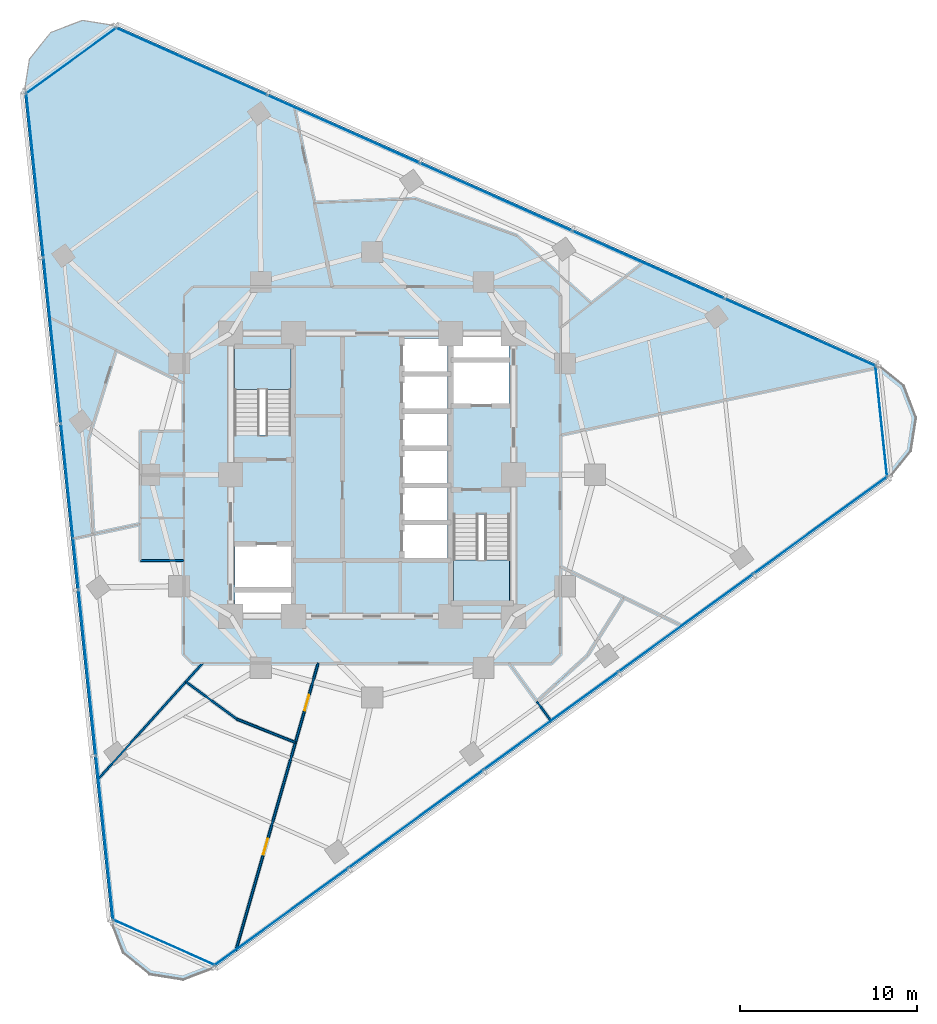
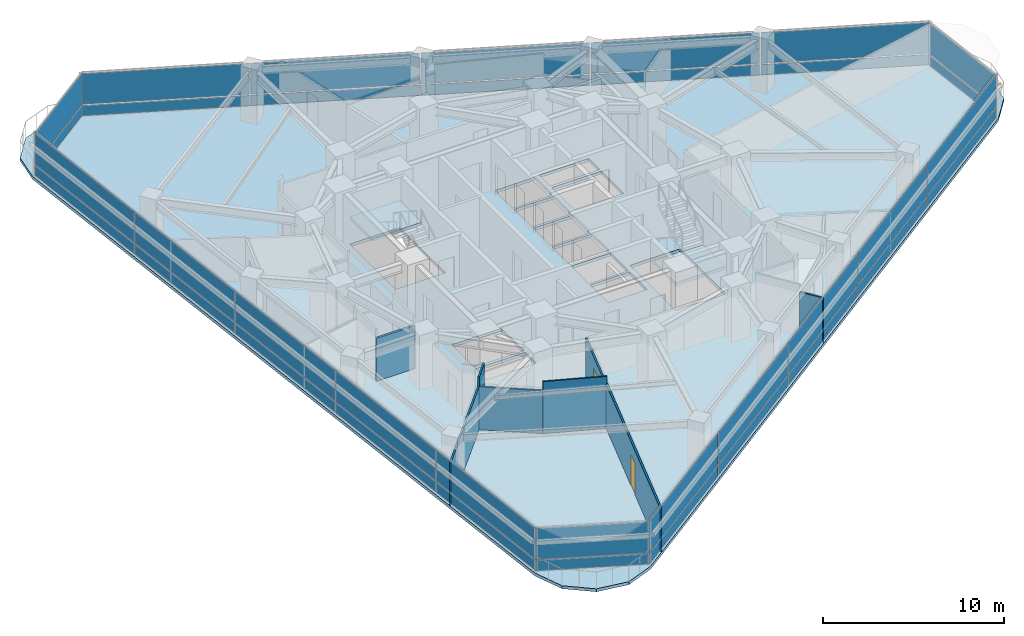
# One storey, part 7 of 14: 36 plates, 8 walls, 3 slabs, 2 doors, 2 openings, 8 elements without a shape of their own.
"""IFC4 building model written with IfcOpenShell, lengths in metres."""

from ifc_helpers import new_model, si_unit, direction, frame, frame_2d, origin, origin_2d, place, context, subcontext, project, spatial, polyline, rectangle, outline, extrude, material, layer, layer_set, type_object, element, fill, aggregate, save


model = new_model("IFC4")

# Units and contexts
model_context = context("Model", 3, precision=1e-05, world=origin(), true_north=direction((0.0, 1.0)))
body_context = subcontext(model_context, "Body", "Model", "MODEL_VIEW")
ifc_project = project(units=[si_unit("LENGTHUNIT", "METRE"), si_unit("AREAUNIT", "SQUARE_METRE"), si_unit("VOLUMEUNIT", "CUBIC_METRE"), si_unit("PLANEANGLEUNIT", "RADIAN"), si_unit("MASSUNIT", "GRAM", prefix="KILO")], contexts=[model_context])

# Site, building, storey
site_placement = place(None, origin())
site = spatial("IfcSite", under=ifc_project, at=site_placement, CompositionType="ELEMENT")
building_placement = place(site_placement, origin())
building = spatial("IfcBuilding", under=site, at=building_placement, Name="Terralouvre Media Tower", CompositionType="ELEMENT")
storey_placement = place(building_placement, frame((0.0, 0.0, 173.10009765625)))
storey = spatial("IfcBuildingStorey", under=building, at=storey_placement, Name="L44", CompositionType="ELEMENT", Elevation=173.10009765625)

# Slab
ifc_material_1 = material(Name="Concrete C40/50", Category="concrete")
ifc_layer_1 = layer(ifc_material_1, 0.199951171875, Name="Composite Tower Floor Slab S-TYP200")
ifc_layer_set_1 = layer_set([ifc_layer_1], Name="Concrete C40/50")
slab_type_1 = type_object("IfcSlabType", Name="Composite Tower Floor Slab S-TYP200", PredefinedType="FLOOR", material=ifc_layer_set_1)
slab_1_placement = place(storey_placement, frame((0.0, 0.0, -0.2001953125), z_axis=(0.0, 0.0, 1.0), x_axis=(0.809016994375, 0.587785252292, 0.0)))
element("IfcSlab", 1, at=slab_1_placement, inside=storey, type_object=slab_type_1, Name="L44 Structural Floor Slab", PredefinedType="FLOOR", context=body_context, shape_type="SweptSolid", body=[
    extrude(outline(polyline([(-26.80419921875, -11.775390625), (-27.300048828125, -13.62548828125), (-26.80419921875, -15.475341796875), (-25.449951171875, -16.829833984375), (-23.60009765625, -17.325439453125), (23.60009765625, -17.325439453125), (25.449951171875, -16.829833984375), (26.80419921875, -15.4755859375), (27.300048828125, -13.62548828125), (26.80419921875, -11.775390625), (3.204345703125, 29.100830078125), (1.85009765625, 30.455322265625), (0.0, 30.950927734375), (-1.85009765625, 30.455322265625), (-3.204345703125, 29.100830078125), (-26.80419921875, -11.775390625)]), holes=[polyline([(-7.600830078125, -2.6357421875), (-8.30615234375, -3.6064453125), (-10.8544921875, -1.7548828125), (-10.149169921875, -0.7841796875), (-7.600830078125, -2.6357421875)]), polyline([(-7.4833984375, -2.473876953125), (-10.03173828125, -0.622314453125), (-8.591552734375, 1.359619140625), (-6.043212890625, -0.49169921875), (-7.4833984375, -2.473876953125)]), polyline([(4.366943359375, -1.2197265625), (2.344482421875, 0.24951171875), (3.48486328125, 1.819091796875), (5.50732421875, 0.349609375), (4.366943359375, -1.2197265625)]), polyline([(6.74169921875, 2.048583984375), (5.601318359375, 0.47900390625), (3.578857421875, 1.948486328125), (4.71923828125, 3.51806640625), (6.74169921875, 2.048583984375)]), polyline([(-2.40185546875, 4.52001953125), (-4.974609375, 6.38916015625), (-2.02685546875, 10.446533203125), (0.5458984375, 8.577392578125), (-2.40185546875, 4.52001953125)]), polyline([(6.835693359375, 2.177978515625), (4.813232421875, 3.6474609375), (5.953369140625, 5.217041015625), (7.97607421875, 3.74755859375), (6.835693359375, 2.177978515625)]), polyline([(-0.5458984375, -8.577392578125), (2.40185546875, -4.52001953125), (4.974609375, -6.38916015625), (2.02685546875, -10.446533203125), (-0.5458984375, -8.577392578125)]), polyline([(0.6640625, -6.316650390625), (-1.358642578125, -4.84716796875), (-0.21826171875, -3.277587890625), (1.80419921875, -4.7470703125), (0.6640625, -6.316650390625)]), polyline([(1.8984375, -4.61767578125), (-0.124267578125, -3.148193359375), (1.01611328125, -1.578857421875), (3.03857421875, -3.04833984375), (1.8984375, -4.61767578125)]), polyline([(4.27294921875, -1.349365234375), (3.132568359375, -2.918701171875), (1.110107421875, -1.44921875), (2.25048828125, 0.1201171875), (4.27294921875, -1.349365234375)]), polyline([(8.591552734375, -1.359619140625), (6.043212890625, 0.49169921875), (7.4833984375, 2.473876953125), (10.03173828125, 0.622314453125), (8.591552734375, -1.359619140625)]), polyline([(10.149169921875, 0.7841796875), (7.600830078125, 2.6357421875), (8.30615234375, 3.6064453125), (10.8544921875, 1.7548828125), (10.149169921875, 0.7841796875)])]), origin(), (0.0, 0.0, 1.0), 0.2001953125),
])

# Stair, slab
ifc_material_2 = material(Name="Concrete C45/55", Category="concrete")
stair_type_1 = type_object("IfcStairType", Name="Dogleg Stair Assembly ST-01", PredefinedType="HALF_TURN_STAIR", material=ifc_material_2)
stair_1_placement = place(storey_placement, origin())
stair_1 = element("IfcStair", 2, at=stair_1_placement, inside=storey, type_object=stair_type_1, Name="L44 Core Pressurised Exit Stair ST-01", PredefinedType="HALF_TURN_STAIR")
ifc_material_3 = material(Name="Concrete C45/55", Category="concrete")
ifc_layer_2 = layer(ifc_material_3, 0.199951171875, Name="Reinforced Concrete Stair Half-Landing SL-LD1")
ifc_layer_set_2 = layer_set([ifc_layer_2], Name="Concrete C45/55")
slab_type_2 = type_object("IfcSlabType", Name="Reinforced Concrete Stair Half-Landing SL-LD1", PredefinedType="LANDING", material=ifc_layer_set_2)
slab_2_placement = place(storey_placement, frame((0.0, 0.0, 1.64990234375)))
slab_2 = element("IfcSlab", 3, at=slab_2_placement, type_object=slab_type_2, Name="ST-01 landing 1", PredefinedType="LANDING", context=body_context, shape_type="SweptSolid", body=[
    extrude(outline(polyline([(-4.60009765625, 4.820068359375), (-4.60009765625, 7.260009765625), (-7.780029296875, 7.260009765625), (-7.780029296875, 4.820068359375), (-4.60009765625, 4.820068359375)])), origin(), (0.0, 0.0, 1.0), 0.199951171875),
])
aggregate(stair_1, [slab_2])

ifc_material_4 = material(Name="Concrete C45/55", Category="concrete")
stair_type_2 = type_object("IfcStairType", Name="Dogleg Stair Assembly ST-02", PredefinedType="HALF_TURN_STAIR", material=ifc_material_4)
stair_2_placement = place(storey_placement, origin())
stair_2 = element("IfcStair", 4, at=stair_2_placement, inside=storey, type_object=stair_type_2, Name="L44 Core Pressurised Exit Stair ST-02", PredefinedType="HALF_TURN_STAIR")
slab_3_placement = place(storey_placement, frame((0.0, 0.0, 1.64990234375)))
slab_3 = element("IfcSlab", 5, at=slab_3_placement, type_object=slab_type_2, Name="ST-02 landing 1", PredefinedType="LANDING", context=body_context, shape_type="SweptSolid", body=[
    extrude(outline(polyline([(4.60009765625, -4.820068359375), (4.60009765625, -7.260009765625), (7.780029296875, -7.260009765625), (7.780029296875, -4.820068359375), (4.60009765625, -4.820068359375)])), origin(), (0.0, 0.0, 1.0), 0.199951171875),
])
aggregate(stair_2, [slab_3])

# Curtain wall, plates
ifc_material_5 = material(Name="Low-iron laminated double glazing with solar-control coating", Category="glass")
ifc_layer_3 = layer(ifc_material_5, 0.1650390625, Name="Rounded Wind-Corner Curved Glazing CW-04")
ifc_layer_set_3 = layer_set([ifc_layer_3], Name="Low-iron laminated double glazing with solar-control coating")
curtain_wall_type_1 = type_object("IfcCurtainWallType", Name="Rounded Wind-Corner Curved Glazing CW-04", PredefinedType="NOTDEFINED", material=ifc_layer_set_3)
curtain_wall_1_placement = place(storey_placement, origin())
curtain_wall_1 = element("IfcCurtainWall", 6, at=curtain_wall_1_placement, inside=storey, type_object=curtain_wall_type_1, Name="L44 Rounded Wind-Corner Curtain Wall C0", PredefinedType="NOTDEFINED")
ifc_material_6 = material(Name="Low-iron laminated double glazing with solar-control coating", Category="glass")
ifc_layer_4 = layer(ifc_material_6, 0.0400390625, Name="Rounded Corner Laminated Vision Panel CWP-03")
ifc_layer_set_4 = layer_set([ifc_layer_4], Name="Low-iron laminated double glazing with solar-control coating")
plate_type_1 = type_object("IfcPlateType", Name="Rounded Corner Laminated Vision Panel CWP-03", PredefinedType="CURTAIN_PANEL", material=ifc_layer_set_4)
plate_1_placement = place(storey_placement, frame((-11.779541015625, -26.45703125, 0.074951171875), z_axis=(0.0, 0.0, 1.0), x_axis=(0.913545408199, -0.406736754128, 0.0)))
plate_1 = element("IfcPlate", 7, at=plate_1_placement, type_object=plate_type_1, Name="CW-04 panel 1.1", PredefinedType="CURTAIN_PANEL", context=body_context, shape_type="SweptSolid", body=[
    extrude(rectangle(XDim=6.258544921875, YDim=0.035888671875, at=origin_2d()), origin(), (0.0, 0.0, 1.0), 0.6875),
])
plate_2_placement = place(storey_placement, frame((-11.779541015625, -26.45703125, 0.83740234375), z_axis=(0.0, 0.0, 1.0), x_axis=(0.913545408199, -0.406736754128, 0.0)))
plate_2 = element("IfcPlate", 8, at=plate_2_placement, type_object=plate_type_1, Name="CW-04 panel 1.2", PredefinedType="CURTAIN_PANEL", context=body_context, shape_type="SweptSolid", body=[
    extrude(rectangle(XDim=6.258544921875, YDim=0.035888671875, at=origin_2d()), origin(), (0.0, 0.0, 1.0), 2.08740234375),
])
aggregate(curtain_wall_1, [plate_1, plate_2])

curtain_wall_2_placement = place(storey_placement, origin())
curtain_wall_2 = element("IfcCurtainWall", 9, at=curtain_wall_2_placement, inside=storey, type_object=curtain_wall_type_1, Name="L44 Rounded Wind-Corner Curtain Wall C1", PredefinedType="NOTDEFINED")
plate_3_placement = place(storey_placement, frame((28.80224609375, 3.02734375, 0.074951171875), z_axis=(0.0, 0.0, 1.0), x_axis=(-0.10452850319, 0.994521891172, 0.0)))
plate_3 = element("IfcPlate", 10, at=plate_3_placement, type_object=plate_type_1, Name="CW-04 panel 1.1", PredefinedType="CURTAIN_PANEL", context=body_context, shape_type="SweptSolid", body=[
    extrude(rectangle(XDim=6.258544921875, YDim=0.035888671875, at=origin_2d()), origin(), (0.0, 0.0, 1.0), 0.6875),
])
plate_4_placement = place(storey_placement, frame((28.80224609375, 3.02734375, 0.83740234375), z_axis=(0.0, 0.0, 1.0), x_axis=(-0.10452850319, 0.994521891172, 0.0)))
plate_4 = element("IfcPlate", 11, at=plate_4_placement, type_object=plate_type_1, Name="CW-04 panel 1.2", PredefinedType="CURTAIN_PANEL", context=body_context, shape_type="SweptSolid", body=[
    extrude(rectangle(XDim=6.258544921875, YDim=0.035888671875, at=origin_2d()), origin(), (0.0, 0.0, 1.0), 2.08740234375),
])
aggregate(curtain_wall_2, [plate_3, plate_4])

curtain_wall_3_placement = place(storey_placement, origin())
curtain_wall_3 = element("IfcCurtainWall", 12, at=curtain_wall_3_placement, inside=storey, type_object=curtain_wall_type_1, Name="L44 Rounded Wind-Corner Curtain Wall C2", PredefinedType="NOTDEFINED")
plate_5_placement = place(storey_placement, frame((-17.022705078125, 23.429931640625, 0.074951171875), z_axis=(0.0, 0.0, 1.0), x_axis=(-0.809017438344, -0.587784641221, 0.0)))
plate_5 = element("IfcPlate", 13, at=plate_5_placement, type_object=plate_type_1, Name="CW-04 panel 1.1", PredefinedType="CURTAIN_PANEL", context=body_context, shape_type="SweptSolid", body=[
    extrude(rectangle(XDim=6.258544921875, YDim=0.035888671875, at=origin_2d()), origin(), (0.0, 0.0, 1.0), 0.6875),
])
plate_6_placement = place(storey_placement, frame((-17.022705078125, 23.429931640625, 0.83740234375), z_axis=(0.0, 0.0, 1.0), x_axis=(-0.809017438344, -0.587784641221, 0.0)))
plate_6 = element("IfcPlate", 14, at=plate_6_placement, type_object=plate_type_1, Name="CW-04 panel 1.2", PredefinedType="CURTAIN_PANEL", context=body_context, shape_type="SweptSolid", body=[
    extrude(rectangle(XDim=6.258544921875, YDim=0.035888671875, at=origin_2d()), origin(), (0.0, 0.0, 1.0), 2.08740234375),
])
aggregate(curtain_wall_3, [plate_5, plate_6])

ifc_material_7 = material(Name="Low-iron laminated double glazing with solar-control coating", Category="glass")
ifc_layer_5 = layer(ifc_material_7, 0.1650390625, Name="Production Studio Tower Curtain Wall CW-03")
ifc_layer_set_5 = layer_set([ifc_layer_5], Name="Low-iron laminated double glazing with solar-control coating")
curtain_wall_type_2 = type_object("IfcCurtainWallType", Name="Production Studio Tower Curtain Wall CW-03", PredefinedType="NOTDEFINED", material=ifc_layer_set_5)
curtain_wall_4_placement = place(storey_placement, origin())
curtain_wall_4 = element("IfcCurtainWall", 15, at=curtain_wall_4_placement, inside=storey, type_object=curtain_wall_type_2, Name="L44 Facade Curtain Wall F0", PredefinedType="NOTDEFINED")
ifc_material_8 = material(Name="Low-iron laminated double glazing with solar-control coating", Category="glass")
ifc_layer_6 = layer(ifc_material_8, 0.035888671875, Name="Vision Double-Glazed Unit CWP-01")
ifc_layer_set_6 = layer_set([ifc_layer_6], Name="Low-iron laminated double glazing with solar-control coating")
plate_type_2 = type_object("IfcPlateType", Name="Vision Double-Glazed Unit CWP-01", PredefinedType="CURTAIN_PANEL", material=ifc_layer_set_6)
plate_7_placement = place(storey_placement, frame((-5.14599609375, -25.005859375, 0.074951171875), z_axis=(0.0, 0.0, 1.0), x_axis=(0.809016917383, 0.587785358263, 0.0)))
plate_7 = element("IfcPlate", 16, at=plate_7_placement, type_object=plate_type_2, Name="CW-03 panel 1.1", PredefinedType="CURTAIN_PANEL", context=body_context, shape_type="SweptSolid", body=[
    extrude(rectangle(XDim=9.327392578125, YDim=0.035888671875, at=origin_2d()), origin(), (0.0, 0.0, 1.0), 0.6875),
])
plate_8_placement = place(storey_placement, frame((-5.14599609375, -25.005859375, 0.83740234375), z_axis=(0.0, 0.0, 1.0), x_axis=(0.809016917383, 0.587785358263, 0.0)))
plate_8 = element("IfcPlate", 17, at=plate_8_placement, type_object=plate_type_2, Name="CW-03 panel 1.2", PredefinedType="CURTAIN_PANEL", context=body_context, shape_type="SweptSolid", body=[
    extrude(rectangle(XDim=9.327392578125, YDim=0.035888671875, at=origin_2d()), origin(), (0.0, 0.0, 1.0), 2.08740234375),
])
plate_9_placement = place(storey_placement, frame((2.47607421875, -19.46826171875, 0.074951171875), z_axis=(0.0, 0.0, 1.0), x_axis=(0.809016917383, 0.587785358263, 0.0)))
plate_9 = element("IfcPlate", 18, at=plate_9_placement, type_object=plate_type_2, Name="CW-03 panel 2.1", PredefinedType="CURTAIN_PANEL", context=body_context, shape_type="SweptSolid", body=[
    extrude(rectangle(XDim=9.364990234375, YDim=0.035888671875, at=origin_2d()), origin(), (0.0, 0.0, 1.0), 0.6875),
])
plate_10_placement = place(storey_placement, frame((2.47607421875, -19.46826171875, 0.83740234375), z_axis=(0.0, 0.0, 1.0), x_axis=(0.809016917383, 0.587785358263, 0.0)))
plate_10 = element("IfcPlate", 19, at=plate_10_placement, type_object=plate_type_2, Name="CW-03 panel 2.2", PredefinedType="CURTAIN_PANEL", context=body_context, shape_type="SweptSolid", body=[
    extrude(rectangle(XDim=9.364990234375, YDim=0.035888671875, at=origin_2d()), origin(), (0.0, 0.0, 1.0), 2.08740234375),
])
plate_11_placement = place(storey_placement, frame((10.113037109375, -13.91943359375, 0.074951171875), z_axis=(0.0, 0.0, 1.0), x_axis=(0.809016917383, 0.587785358263, 0.0)))
plate_11 = element("IfcPlate", 20, at=plate_11_placement, type_object=plate_type_2, Name="CW-03 panel 3.1", PredefinedType="CURTAIN_PANEL", context=body_context, shape_type="SweptSolid", body=[
    extrude(rectangle(XDim=9.364990234375, YDim=0.035888671875, at=origin_2d()), origin(), (0.0, 0.0, 1.0), 0.6875),
])
plate_12_placement = place(storey_placement, frame((10.113037109375, -13.91943359375, 0.83740234375), z_axis=(0.0, 0.0, 1.0), x_axis=(0.809016917383, 0.587785358263, 0.0)))
plate_12 = element("IfcPlate", 21, at=plate_12_placement, type_object=plate_type_2, Name="CW-03 panel 3.2", PredefinedType="CURTAIN_PANEL", context=body_context, shape_type="SweptSolid", body=[
    extrude(rectangle(XDim=9.364990234375, YDim=0.035888671875, at=origin_2d()), origin(), (0.0, 0.0, 1.0), 2.08740234375),
])
plate_13_placement = place(storey_placement, frame((17.750244140625, -8.370849609375, 0.074951171875), z_axis=(0.0, 0.0, 1.0), x_axis=(0.809016917383, 0.587785358263, 0.0)))
plate_13 = element("IfcPlate", 22, at=plate_13_placement, type_object=plate_type_2, Name="CW-03 panel 4.1", PredefinedType="CURTAIN_PANEL", context=body_context, shape_type="SweptSolid", body=[
    extrude(rectangle(XDim=9.364990234375, YDim=0.035888671875, at=origin_2d()), origin(), (0.0, 0.0, 1.0), 0.6875),
])
plate_14_placement = place(storey_placement, frame((17.750244140625, -8.370849609375, 0.83740234375), z_axis=(0.0, 0.0, 1.0), x_axis=(0.809016917383, 0.587785358263, 0.0)))
plate_14 = element("IfcPlate", 23, at=plate_14_placement, type_object=plate_type_2, Name="CW-03 panel 4.2", PredefinedType="CURTAIN_PANEL", context=body_context, shape_type="SweptSolid", body=[
    extrude(rectangle(XDim=9.364990234375, YDim=0.035888671875, at=origin_2d()), origin(), (0.0, 0.0, 1.0), 2.08740234375),
])
plate_15_placement = place(storey_placement, frame((25.3720703125, -2.833251953125, 0.074951171875), z_axis=(0.0, 0.0, 1.0), x_axis=(0.809016917383, 0.587785358263, 0.0)))
plate_15 = element("IfcPlate", 24, at=plate_15_placement, type_object=plate_type_2, Name="CW-03 panel 5.1", PredefinedType="CURTAIN_PANEL", context=body_context, shape_type="SweptSolid", body=[
    extrude(rectangle(XDim=9.327392578125, YDim=0.035888671875, at=origin_2d()), origin(), (0.0, 0.0, 1.0), 0.6875),
])
plate_16_placement = place(storey_placement, frame((25.3720703125, -2.833251953125, 0.83740234375), z_axis=(0.0, 0.0, 1.0), x_axis=(0.809016917383, 0.587785358263, 0.0)))
plate_16 = element("IfcPlate", 25, at=plate_16_placement, type_object=plate_type_2, Name="CW-03 panel 5.2", PredefinedType="CURTAIN_PANEL", context=body_context, shape_type="SweptSolid", body=[
    extrude(rectangle(XDim=9.327392578125, YDim=0.035888671875, at=origin_2d()), origin(), (0.0, 0.0, 1.0), 2.08740234375),
])
aggregate(curtain_wall_4, [plate_7, plate_8, plate_9, plate_10, plate_11, plate_12, plate_13, plate_14, plate_15, plate_16])

curtain_wall_5_placement = place(storey_placement, origin())
curtain_wall_5 = element("IfcCurtainWall", 26, at=curtain_wall_5_placement, inside=storey, type_object=curtain_wall_type_2, Name="L44 Facade Curtain Wall F1", PredefinedType="NOTDEFINED")
plate_17_placement = place(storey_placement, frame((24.228759765625, 8.04638671875, 0.074951171875), z_axis=(0.0, 0.0, 1.0), x_axis=(-0.913545469547, 0.406736616337, 0.0)))
plate_17 = element("IfcPlate", 27, at=plate_17_placement, type_object=plate_type_2, Name="CW-03 panel 1.1", PredefinedType="CURTAIN_PANEL", context=body_context, shape_type="SweptSolid", body=[
    extrude(rectangle(XDim=9.327392578125, YDim=0.035888671875, at=origin_2d()), origin(), (0.0, 0.0, 1.0), 0.6875),
])
plate_18_placement = place(storey_placement, frame((24.228759765625, 8.04638671875, 0.83740234375), z_axis=(0.0, 0.0, 1.0), x_axis=(-0.913545469547, 0.406736616337, 0.0)))
plate_18 = element("IfcPlate", 28, at=plate_18_placement, type_object=plate_type_2, Name="CW-03 panel 1.2", PredefinedType="CURTAIN_PANEL", context=body_context, shape_type="SweptSolid", body=[
    extrude(rectangle(XDim=9.327392578125, YDim=0.035888671875, at=origin_2d()), origin(), (0.0, 0.0, 1.0), 2.08740234375),
])
plate_19_placement = place(storey_placement, frame((15.6220703125, 11.87841796875, 0.074951171875), z_axis=(0.0, 0.0, 1.0), x_axis=(-0.913545469547, 0.406736616337, 0.0)))
plate_19 = element("IfcPlate", 29, at=plate_19_placement, type_object=plate_type_2, Name="CW-03 panel 2.1", PredefinedType="CURTAIN_PANEL", context=body_context, shape_type="SweptSolid", body=[
    extrude(rectangle(XDim=9.364990234375, YDim=0.035888671875, at=origin_2d()), origin(), (0.0, 0.0, 1.0), 0.6875),
])
plate_20_placement = place(storey_placement, frame((15.6220703125, 11.87841796875, 0.83740234375), z_axis=(0.0, 0.0, 1.0), x_axis=(-0.913545469547, 0.406736616337, 0.0)))
plate_20 = element("IfcPlate", 30, at=plate_20_placement, type_object=plate_type_2, Name="CW-03 panel 2.2", PredefinedType="CURTAIN_PANEL", context=body_context, shape_type="SweptSolid", body=[
    extrude(rectangle(XDim=9.364990234375, YDim=0.035888671875, at=origin_2d()), origin(), (0.0, 0.0, 1.0), 2.08740234375),
])
plate_21_placement = place(storey_placement, frame((6.998046875, 15.718017578125, 0.074951171875), z_axis=(0.0, 0.0, 1.0), x_axis=(-0.913545469547, 0.406736616337, 0.0)))
plate_21 = element("IfcPlate", 31, at=plate_21_placement, type_object=plate_type_2, Name="CW-03 panel 3.1", PredefinedType="CURTAIN_PANEL", context=body_context, shape_type="SweptSolid", body=[
    extrude(rectangle(XDim=9.364990234375, YDim=0.035888671875, at=origin_2d()), origin(), (0.0, 0.0, 1.0), 0.6875),
])
plate_22_placement = place(storey_placement, frame((6.998046875, 15.718017578125, 0.83740234375), z_axis=(0.0, 0.0, 1.0), x_axis=(-0.913545469547, 0.406736616337, 0.0)))
plate_22 = element("IfcPlate", 32, at=plate_22_placement, type_object=plate_type_2, Name="CW-03 panel 3.2", PredefinedType="CURTAIN_PANEL", context=body_context, shape_type="SweptSolid", body=[
    extrude(rectangle(XDim=9.364990234375, YDim=0.035888671875, at=origin_2d()), origin(), (0.0, 0.0, 1.0), 2.08740234375),
])
plate_23_placement = place(storey_placement, frame((-1.625732421875, 19.5576171875, 0.074951171875), z_axis=(0.0, 0.0, 1.0), x_axis=(-0.913545469547, 0.406736616337, 0.0)))
plate_23 = element("IfcPlate", 33, at=plate_23_placement, type_object=plate_type_2, Name="CW-03 panel 4.1", PredefinedType="CURTAIN_PANEL", context=body_context, shape_type="SweptSolid", body=[
    extrude(rectangle(XDim=9.364990234375, YDim=0.035888671875, at=origin_2d()), origin(), (0.0, 0.0, 1.0), 0.6875),
])
plate_24_placement = place(storey_placement, frame((-1.625732421875, 19.5576171875, 0.83740234375), z_axis=(0.0, 0.0, 1.0), x_axis=(-0.913545469547, 0.406736616337, 0.0)))
plate_24 = element("IfcPlate", 34, at=plate_24_placement, type_object=plate_type_2, Name="CW-03 panel 4.2", PredefinedType="CURTAIN_PANEL", context=body_context, shape_type="SweptSolid", body=[
    extrude(rectangle(XDim=9.364990234375, YDim=0.035888671875, at=origin_2d()), origin(), (0.0, 0.0, 1.0), 2.08740234375),
])
plate_25_placement = place(storey_placement, frame((-10.232421875, 23.3896484375, 0.074951171875), z_axis=(0.0, 0.0, 1.0), x_axis=(-0.913545469547, 0.406736616337, 0.0)))
plate_25 = element("IfcPlate", 35, at=plate_25_placement, type_object=plate_type_2, Name="CW-03 panel 5.1", PredefinedType="CURTAIN_PANEL", context=body_context, shape_type="SweptSolid", body=[
    extrude(rectangle(XDim=9.327392578125, YDim=0.035888671875, at=origin_2d()), origin(), (0.0, 0.0, 1.0), 0.6875),
])
plate_26_placement = place(storey_placement, frame((-10.232421875, 23.3896484375, 0.83740234375), z_axis=(0.0, 0.0, 1.0), x_axis=(-0.913545469547, 0.406736616337, 0.0)))
plate_26 = element("IfcPlate", 36, at=plate_26_placement, type_object=plate_type_2, Name="CW-03 panel 5.2", PredefinedType="CURTAIN_PANEL", context=body_context, shape_type="SweptSolid", body=[
    extrude(rectangle(XDim=9.327392578125, YDim=0.035888671875, at=origin_2d()), origin(), (0.0, 0.0, 1.0), 2.08740234375),
])
aggregate(curtain_wall_5, [plate_17, plate_18, plate_19, plate_20, plate_21, plate_22, plate_23, plate_24, plate_25, plate_26])

curtain_wall_6_placement = place(storey_placement, origin())
curtain_wall_6 = element("IfcCurtainWall", 37, at=curtain_wall_6_placement, inside=storey, type_object=curtain_wall_type_2, Name="L44 Facade Curtain Wall F2", PredefinedType="NOTDEFINED")
plate_27_placement = place(storey_placement, frame((-19.082763671875, 16.95947265625, 0.074951171875), z_axis=(0.0, 0.0, 1.0), x_axis=(0.104528376236, -0.994521904516, 0.0)))
plate_27 = element("IfcPlate", 38, at=plate_27_placement, type_object=plate_type_2, Name="CW-03 panel 1.1", PredefinedType="CURTAIN_PANEL", context=body_context, shape_type="SweptSolid", body=[
    extrude(rectangle(XDim=9.327392578125, YDim=0.035888671875, at=origin_2d()), origin(), (0.0, 0.0, 1.0), 0.6875),
])
plate_28_placement = place(storey_placement, frame((-19.082763671875, 16.95947265625, 0.83740234375), z_axis=(0.0, 0.0, 1.0), x_axis=(0.104528376236, -0.994521904516, 0.0)))
plate_28 = element("IfcPlate", 39, at=plate_28_placement, type_object=plate_type_2, Name="CW-03 panel 1.2", PredefinedType="CURTAIN_PANEL", context=body_context, shape_type="SweptSolid", body=[
    extrude(rectangle(XDim=9.327392578125, YDim=0.035888671875, at=origin_2d()), origin(), (0.0, 0.0, 1.0), 2.08740234375),
])
plate_29_placement = place(storey_placement, frame((-18.097900390625, 7.58984375, 0.074951171875), z_axis=(0.0, 0.0, 1.0), x_axis=(0.104528376236, -0.994521904516, 0.0)))
plate_29 = element("IfcPlate", 40, at=plate_29_placement, type_object=plate_type_2, Name="CW-03 panel 2.1", PredefinedType="CURTAIN_PANEL", context=body_context, shape_type="SweptSolid", body=[
    extrude(rectangle(XDim=9.364990234375, YDim=0.035888671875, at=origin_2d()), origin(), (0.0, 0.0, 1.0), 0.6875),
])
plate_30_placement = place(storey_placement, frame((-18.097900390625, 7.58984375, 0.83740234375), z_axis=(0.0, 0.0, 1.0), x_axis=(0.104528376236, -0.994521904516, 0.0)))
plate_30 = element("IfcPlate", 41, at=plate_30_placement, type_object=plate_type_2, Name="CW-03 panel 2.2", PredefinedType="CURTAIN_PANEL", context=body_context, shape_type="SweptSolid", body=[
    extrude(rectangle(XDim=9.364990234375, YDim=0.035888671875, at=origin_2d()), origin(), (0.0, 0.0, 1.0), 2.08740234375),
])
plate_31_placement = place(storey_placement, frame((-17.111328125, -1.79833984375, 0.074951171875), z_axis=(0.0, 0.0, 1.0), x_axis=(0.104528376236, -0.994521904516, 0.0)))
plate_31 = element("IfcPlate", 42, at=plate_31_placement, type_object=plate_type_2, Name="CW-03 panel 3.1", PredefinedType="CURTAIN_PANEL", context=body_context, shape_type="SweptSolid", body=[
    extrude(rectangle(XDim=9.364990234375, YDim=0.035888671875, at=origin_2d()), origin(), (0.0, 0.0, 1.0), 0.6875),
])
plate_32_placement = place(storey_placement, frame((-17.111328125, -1.79833984375, 0.83740234375), z_axis=(0.0, 0.0, 1.0), x_axis=(0.104528376236, -0.994521904516, 0.0)))
plate_32 = element("IfcPlate", 43, at=plate_32_placement, type_object=plate_type_2, Name="CW-03 panel 3.2", PredefinedType="CURTAIN_PANEL", context=body_context, shape_type="SweptSolid", body=[
    extrude(rectangle(XDim=9.364990234375, YDim=0.035888671875, at=origin_2d()), origin(), (0.0, 0.0, 1.0), 2.08740234375),
])
plate_33_placement = place(storey_placement, frame((-16.12451171875, -11.186767578125, 0.074951171875), z_axis=(0.0, 0.0, 1.0), x_axis=(0.104528376236, -0.994521904516, 0.0)))
plate_33 = element("IfcPlate", 44, at=plate_33_placement, type_object=plate_type_2, Name="CW-03 panel 4.1", PredefinedType="CURTAIN_PANEL", context=body_context, shape_type="SweptSolid", body=[
    extrude(rectangle(XDim=9.364990234375, YDim=0.035888671875, at=origin_2d()), origin(), (0.0, 0.0, 1.0), 0.6875),
])
plate_34_placement = place(storey_placement, frame((-16.12451171875, -11.186767578125, 0.83740234375), z_axis=(0.0, 0.0, 1.0), x_axis=(0.104528376236, -0.994521904516, 0.0)))
plate_34 = element("IfcPlate", 45, at=plate_34_placement, type_object=plate_type_2, Name="CW-03 panel 4.2", PredefinedType="CURTAIN_PANEL", context=body_context, shape_type="SweptSolid", body=[
    extrude(rectangle(XDim=9.364990234375, YDim=0.035888671875, at=origin_2d()), origin(), (0.0, 0.0, 1.0), 2.08740234375),
])
plate_35_placement = place(storey_placement, frame((-15.1396484375, -20.556396484375, 0.074951171875), z_axis=(0.0, 0.0, 1.0), x_axis=(0.104528376236, -0.994521904516, 0.0)))
plate_35 = element("IfcPlate", 46, at=plate_35_placement, type_object=plate_type_2, Name="CW-03 panel 5.1", PredefinedType="CURTAIN_PANEL", context=body_context, shape_type="SweptSolid", body=[
    extrude(rectangle(XDim=9.327392578125, YDim=0.035888671875, at=origin_2d()), origin(), (0.0, 0.0, 1.0), 0.6875),
])
plate_36_placement = place(storey_placement, frame((-15.1396484375, -20.556396484375, 0.83740234375), z_axis=(0.0, 0.0, 1.0), x_axis=(0.104528376236, -0.994521904516, 0.0)))
plate_36 = element("IfcPlate", 47, at=plate_36_placement, type_object=plate_type_2, Name="CW-03 panel 5.2", PredefinedType="CURTAIN_PANEL", context=body_context, shape_type="SweptSolid", body=[
    extrude(rectangle(XDim=9.327392578125, YDim=0.035888671875, at=origin_2d()), origin(), (0.0, 0.0, 1.0), 2.08740234375),
])
aggregate(curtain_wall_6, [plate_27, plate_28, plate_29, plate_30, plate_31, plate_32, plate_33, plate_34, plate_35, plate_36])

# Walls
ifc_material_9 = material(Name="Low-iron laminated double glazing with solar-control coating", Category="glass")
ifc_layer_7 = layer(ifc_material_9, 0.10009765625, Name="Demountable Glazed Office Partition PT-GL100")
ifc_layer_set_7 = layer_set([ifc_layer_7], Name="Low-iron laminated double glazing with solar-control coating")
wall_type_1 = type_object("IfcWallType", Name="Demountable Glazed Office Partition PT-GL100", PredefinedType="MOVABLE", material=ifc_layer_set_7)
wall_1_placement = place(storey_placement, frame((-10.541015625, -11.70703125, 0.0), z_axis=(0.0, 0.0, 1.0), x_axis=(0.669154347467, 0.743123448201, 0.0)))
element("IfcWall", 48, at=wall_1_placement, inside=storey, type_object=wall_type_1, Name="L44 Interior Partition 027", PredefinedType="MOVABLE", context=body_context, shape_type="SweptSolid", body=[
    extrude(rectangle(XDim=1.422607421875, YDim=0.10009765625, at=frame_2d((0.71142578125, 0.0))), origin(), (0.0, 0.0, 1.0), 3.5),
])
wall_2_placement = place(storey_placement, frame((-15.52783203125, -17.244873046875, 0.0), z_axis=(0.0, 0.0, 1.0), x_axis=(0.669169234172, 0.74311004302, 0.0)))
element("IfcWall", 49, at=wall_2_placement, inside=storey, type_object=wall_type_1, Name="L44 Interior Partition 028", PredefinedType="MOVABLE", context=body_context, shape_type="SweptSolid", body=[
    extrude(rectangle(XDim=7.4521484375, YDim=0.10009765625, at=frame_2d((3.72607421875, 0.0))), origin(), (0.0, 0.0, 1.0), 2.885009765625),
])
wall_3_placement = place(storey_placement, frame((-10.541015625, -11.70703125, 0.0), z_axis=(0.0, 0.0, 1.0), x_axis=(0.806504929698, -0.591227366055, 0.0)))
element("IfcWall", 50, at=wall_3_placement, inside=storey, type_object=wall_type_1, Name="L44 Interior Partition 031", PredefinedType="MOVABLE", context=body_context, shape_type="SweptSolid", body=[
    extrude(rectangle(XDim=3.572265625, YDim=0.10009765625, at=frame_2d((1.7861328125, 0.0))), origin(), (0.0, 0.0, 1.0), 2.885009765625),
])
wall_4_placement = place(storey_placement, frame((-7.659912109375, -13.819091796875, 0.0), z_axis=(0.0, 0.0, 1.0), x_axis=(0.928782740603, -0.37062463593, 0.0)))
element("IfcWall", 51, at=wall_4_placement, inside=storey, type_object=wall_type_1, Name="L44 Interior Partition 032", PredefinedType="MOVABLE", context=body_context, shape_type="SweptSolid", body=[
    extrude(rectangle(XDim=3.572265625, YDim=0.10009765625, at=frame_2d((1.7861328125, 0.0))), origin(), (0.0, 0.0, 1.0), 3.5),
])

# Wall, opening, door
wall_5_placement = place(storey_placement, frame((-4.342041015625, -15.14306640625, 0.0), z_axis=(0.0, 0.0, 1.0), x_axis=(0.275576442642, 0.961279160422, 0.0)))
wall_5 = element("IfcWall", 52, at=wall_5_placement, inside=storey, type_object=wall_type_1, Name="L44 Interior Partition 033", PredefinedType="MOVABLE", context=body_context, shape_type="SweptSolid", body=[
    extrude(rectangle(XDim=4.674072265625, YDim=0.10009765625, at=frame_2d((2.3369140625, 0.0))), origin(), (0.0, 0.0, 1.0), 2.885009765625),
])
opening_1_placement = place(wall_5_placement, frame((1.876953125, 0.0, 0.0)))
opening_1 = element("IfcOpeningElement", 53, at=opening_1_placement, cuts=wall_5, Name="Opening ID-03-92X210", PredefinedType="OPENING", context=body_context, shape_type="SweptSolid", body=[
    extrude(rectangle(XDim=0.919921875, YDim=2.10009765625, at=frame_2d((0.4599609375, 1.050048828125))), frame((0.0, 0.06005859375, 0.0), z_axis=(0.0, -1.0, 0.0), x_axis=(1.0, 0.0, 0.0)), (0.0, 0.0, 1.0), 0.1201171875),
])
ifc_material_10 = material(Name="Engineered hardwood acoustic timber leaf", Category="wood")
door_type = type_object("IfcDoorType", Name="Accessible Restroom and Suite Door ID-03 (920x2100)", OperationType="NOTDEFINED", PredefinedType="DOOR", material=ifc_material_10)
door_1_placement = place(opening_1_placement, origin())
door_1 = element("IfcDoor", 54, at=door_1_placement, inside=storey, type_object=door_type, Name="L44 Broadcast Ethics Seminar Room 2 Door", OperationType="SINGLE_SWING_LEFT", OverallHeight=2.10009765625, OverallWidth=0.919921875, PredefinedType="DOOR", context=body_context, shape_type="SweptSolid", body=[
    extrude(rectangle(XDim=0.919921875, YDim=2.10009765625, at=frame_2d((0.4599609375, 1.050048828125))), frame((0.0, 0.02490234375, 0.0), z_axis=(0.0, -1.0, 0.0), x_axis=(1.0, 0.0, 0.0)), (0.0, 0.0, 1.0), 0.050048828125),
])
fill(opening_1, door_1)

wall_6_placement = place(storey_placement, frame((-7.720703125, -26.926025390625, 0.0), z_axis=(0.0, 0.0, 1.0), x_axis=(0.275633812082, 0.961262712081, 0.0)))
wall_6 = element("IfcWall", 55, at=wall_6_placement, inside=storey, type_object=wall_type_1, Name="L44 Interior Partition 034", PredefinedType="MOVABLE", context=body_context, shape_type="SweptSolid", body=[
    extrude(rectangle(XDim=12.2578125, YDim=0.10009765625, at=frame_2d((6.12890625, 0.0))), origin(), (0.0, 0.0, 1.0), 2.98486328125),
])
opening_2_placement = place(wall_6_placement, frame((5.6689453125, 0.0, 0.0)))
opening_2 = element("IfcOpeningElement", 56, at=opening_2_placement, cuts=wall_6, Name="Opening ID-03-92X210", PredefinedType="OPENING", context=body_context, shape_type="SweptSolid", body=[
    extrude(rectangle(XDim=0.919921875, YDim=2.10009765625, at=frame_2d((0.4599609375, 1.050048828125))), frame((0.0, 0.06005859375, 0.0), z_axis=(0.0, -1.0, 0.0), x_axis=(1.0, 0.0, 0.0)), (0.0, 0.0, 1.0), 0.1201171875),
])
door_2_placement = place(opening_2_placement, origin())
door_2 = element("IfcDoor", 57, at=door_2_placement, inside=storey, type_object=door_type, Name="L44 Voice Coaching Interview Room 3 Door", OperationType="SINGLE_SWING_RIGHT", OverallHeight=2.10009765625, OverallWidth=0.919921875, PredefinedType="DOOR", context=body_context, shape_type="SweptSolid", body=[
    extrude(rectangle(XDim=0.919921875, YDim=2.10009765625, at=frame_2d((0.4599609375, 1.050048828125))), frame((0.0, 0.02490234375, 0.0), z_axis=(0.0, -1.0, 0.0), x_axis=(1.0, 0.0, 0.0)), (0.0, 0.0, 1.0), 0.050048828125),
])
fill(opening_2, door_2)

# Walls
wall_7_placement = place(storey_placement, frame((10.13623046875, -13.9521484375, 0.0), z_axis=(0.0, 0.0, 1.0), x_axis=(-0.587422991792, 0.809280068156, 0.0)))
element("IfcWall", 58, at=wall_7_placement, inside=storey, type_object=wall_type_1, Name="L44 Interior Partition 036", PredefinedType="MOVABLE", context=body_context, shape_type="SweptSolid", body=[
    extrude(rectangle(XDim=1.396484375, YDim=0.10009765625, at=frame_2d((0.6982421875, 0.0))), origin(), (0.0, 0.0, 1.0), 2.98486328125),
])
ifc_material_11 = material(Name="Fire-rated gypsum board drywall partition")
ifc_layer_8 = layer(ifc_material_11, 0.114990234375, Name="Restroom and Pantry Partition PT-115")
ifc_layer_set_8 = layer_set([ifc_layer_8], Name="Fire-rated gypsum board drywall partition")
wall_type_2 = type_object("IfcWallType", Name="Restroom and Pantry Partition PT-115", PredefinedType="PARTITIONING", material=ifc_layer_set_8)
wall_8_placement = place(storey_placement, frame((-13.10009765625, -4.85009765625, 0.0), z_axis=(0.0, 0.0, 1.0), x_axis=(1.0, 0.0, 0.0)))
element("IfcWall", 59, at=wall_8_placement, inside=storey, type_object=wall_type_2, Name="L44 Interior Partition 025", PredefinedType="PARTITIONING", context=body_context, shape_type="SweptSolid", body=[
    extrude(rectangle(XDim=2.4501953125, YDim=0.114990234375, at=frame_2d((1.22509765625, 0.0))), origin(), (0.0, 0.0, 1.0), 2.885009765625),
])

save(model, "model.ifc")
